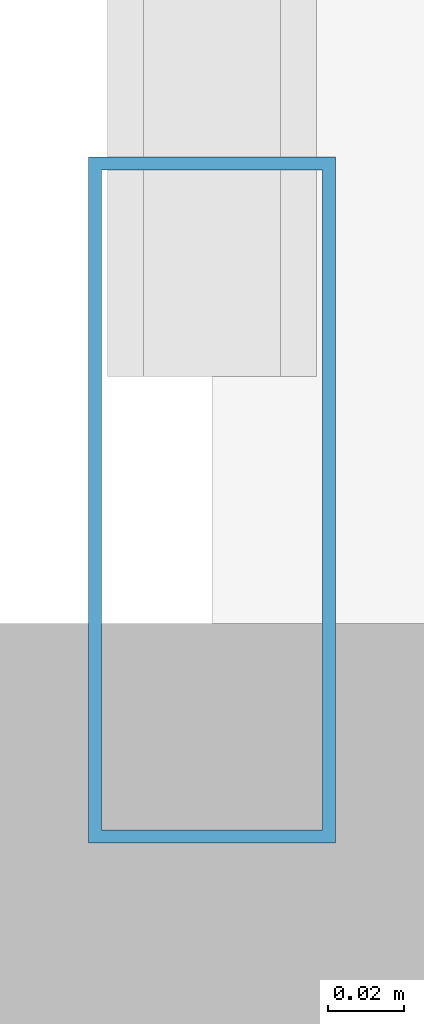
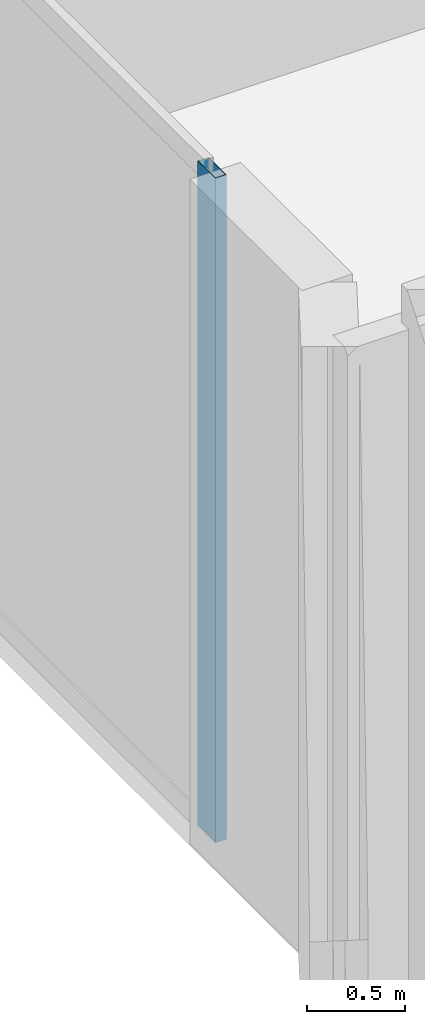
# One storey, part 6 of 24: 1 member, 1 element without a shape of its own.
"""IFC4 building model written with IfcOpenShell, lengths in metres."""

from ifc_helpers import new_model, si_unit, direction, frame, origin, origin_2d, place, context, subcontext, project, spatial, hollow_rectangle, extrude, material, layer, layer_set, material_profile, profile_set, type_object, element, aggregate, save


model = new_model("IFC4")

# Units and contexts
model_context = context("Model", 3, precision=1e-05, world=origin(), true_north=direction((0.0, 1.0)))
body_context = subcontext(model_context, "Body", "Model", "MODEL_VIEW")
ifc_project = project(units=[si_unit("LENGTHUNIT", "METRE"), si_unit("AREAUNIT", "SQUARE_METRE"), si_unit("VOLUMEUNIT", "CUBIC_METRE"), si_unit("PLANEANGLEUNIT", "RADIAN"), si_unit("MASSUNIT", "GRAM", prefix="KILO")], contexts=[model_context])

# Site, building, storey
site_placement = place(None, origin())
site = spatial("IfcSite", under=ifc_project, at=site_placement, CompositionType="ELEMENT")
building_placement = place(site_placement, origin())
building = spatial("IfcBuilding", under=site, at=building_placement, Name="Zuhayl Quay Hotel", CompositionType="ELEMENT")
storey_placement = place(building_placement, frame((0.0, 0.0, 292.85009765625)))
storey = spatial("IfcBuildingStorey", under=building, at=storey_placement, Name="L74", CompositionType="ELEMENT", Elevation=292.85009765625)

# Curtain wall, member
ifc_material_1 = material(Name="Anodised Aluminium 6063-T6", Category="aluminium")
ifc_layer = layer(ifc_material_1, 0.169921875, Name="Anodised Aluminium 6063-T6", Category="aluminium")
ifc_layer_set = layer_set([ifc_layer], Name="Anodised Aluminium 6063-T6")
curtain_wall_type = type_object("IfcCurtainWallType", Name="CW_SYS_Z4", PredefinedType="USERDEFINED", material=ifc_layer_set)
curtain_wall_placement = place(storey_placement, origin())
curtain_wall = element("IfcCurtainWall", 1, at=curtain_wall_placement, inside=storey, type_object=curtain_wall_type, Name="L74 Curtain Wall ENV_L74_E05_CW1", ObjectType="UNITISED CURTAIN WALL", PredefinedType="USERDEFINED")
ifc_material_2 = material(Name="Black-anodised aluminium 6063-T6", Category="aluminium")
ifc_material_profile = material_profile(ifc_material_2, hollow_rectangle(XDim=0.06494140625, YDim=0.179931640625, WallThickness=0.00341796875, at=origin_2d()), Name="ALU180X65")
ifc_profile_set = profile_set([ifc_material_profile], Name="Black-anodised aluminium 6063-T6")
member_type = type_object("IfcMemberType", Name="MB_CW_MUL_180", PredefinedType="MULLION", material=ifc_profile_set)
member_placement = place(storey_placement, frame((-20.199951171875, 25.282470703125, 0.0), z_axis=(0.0, 0.0, 1.0), x_axis=(-1.0, 0.0, 0.0)))
member = element("IfcMember", 2, at=member_placement, type_object=member_type, Name="CW-Z4 mullion 1", PredefinedType="MULLION", context=body_context, shape_type="SweptSolid", body=[
    extrude(hollow_rectangle(XDim=0.06494140625, YDim=0.179931640625, WallThickness=0.00341796875, at=origin_2d()), origin(), (0.0, 0.0, 1.0), 4.159912109375),
])
aggregate(curtain_wall, [member])

save(model, "model.ifc")
